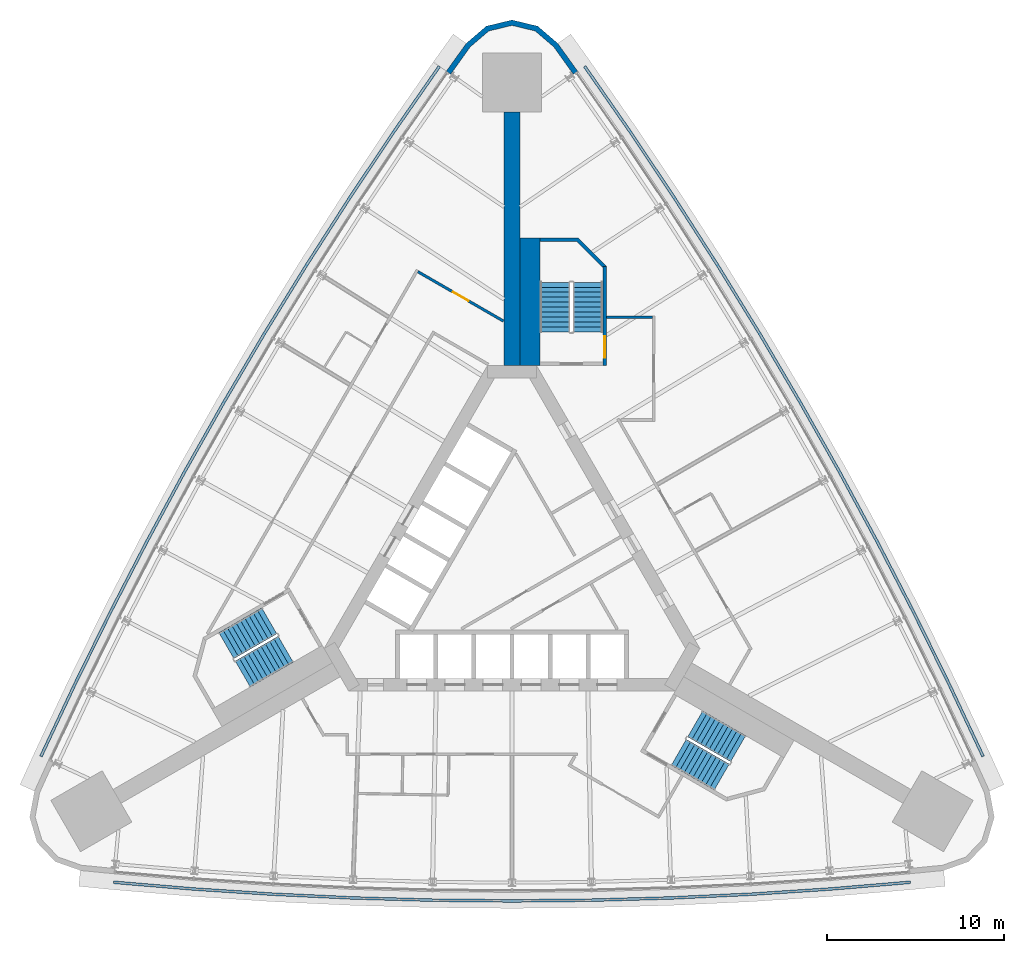
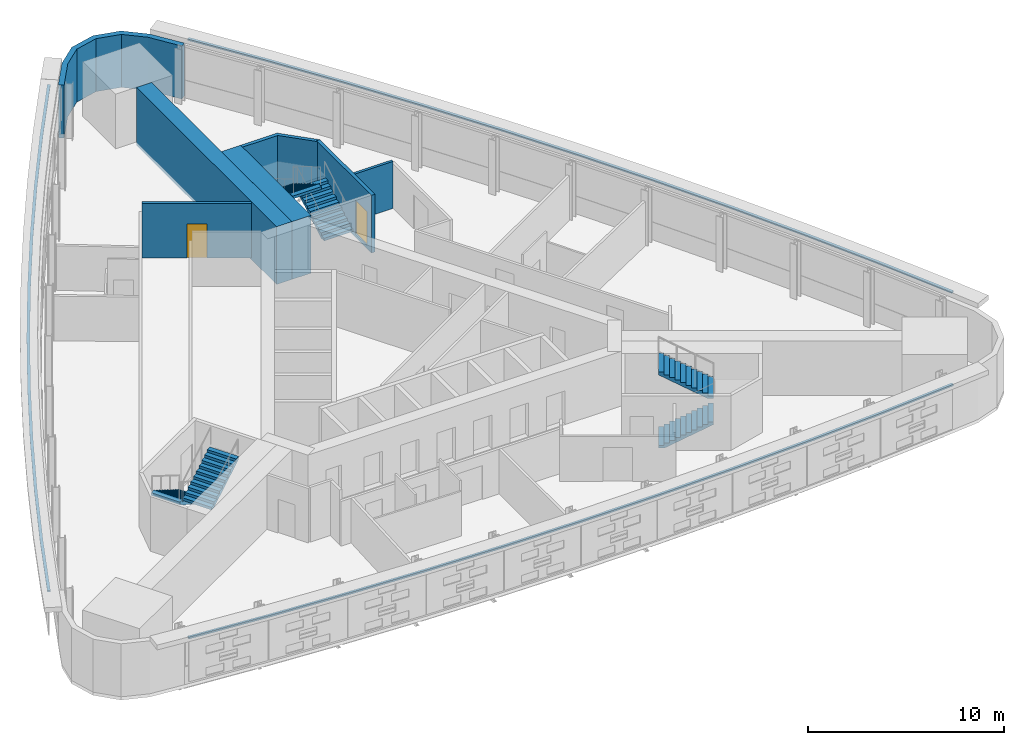
# One storey, part 12 of 14: 7 walls, 6 stair flights, 3 discrete accessories, 2 doors, 2 openings, 3 elements without a shape of their own.
"""IFC4 building model written with IfcOpenShell, lengths in metres."""

from ifc_helpers import new_model, si_unit, direction, frame, frame_2d, origin, place, context, subcontext, project, spatial, polyline, rectangle, outline, extrude, material, layer, layer_set, type_object, element, fill, aggregate, save


model = new_model("IFC4")

# Units and contexts
model_context = context("Model", 3, precision=1e-05, world=origin(), true_north=direction((0.0, 1.0)))
body_context = subcontext(model_context, "Body", "Model", "MODEL_VIEW")
ifc_project = project(units=[si_unit("LENGTHUNIT", "METRE"), si_unit("AREAUNIT", "SQUARE_METRE"), si_unit("VOLUMEUNIT", "CUBIC_METRE"), si_unit("PLANEANGLEUNIT", "RADIAN"), si_unit("MASSUNIT", "GRAM", prefix="KILO")], contexts=[model_context])

# Site, building, storey
site_placement = place(None, origin())
site = spatial("IfcSite", under=ifc_project, at=site_placement, CompositionType="ELEMENT")
building_placement = place(site_placement, origin())
building = spatial("IfcBuilding", under=site, at=building_placement, Name="Noor Cloister Tower", CompositionType="ELEMENT")
storey_placement = place(building_placement, frame((0.0, 0.0, 42.0)))
storey = spatial("IfcBuildingStorey", under=building, at=storey_placement, Name="L10", CompositionType="ELEMENT", Elevation=42.0)

# Wall
ifc_material_1 = material(Name="Concrete C80/95", Category="concrete")
ifc_layer_1 = layer(ifc_material_1, 0.89990234375)
ifc_layer_set_1 = layer_set([ifc_layer_1], Name="Buttress wall 900 C80/95")
wall_type_1 = type_object("IfcWallType", Name="Buttress wall 900 C80/95", PredefinedType="SHEAR", material=ifc_layer_set_1)
wall_1_placement = place(storey_placement, frame((0.0, 11.456298828125, -0.199951171875), z_axis=(0.0, 0.0, 1.0), x_axis=(0.0, 1.0, 0.0)))
element("IfcWall", 1, at=wall_1_placement, inside=storey, type_object=wall_type_1, Name="Buttress wall N L10", PredefinedType="SHEAR", context=body_context, shape_type="SweptSolid", body=[
    extrude(rectangle(XDim=14.30859375, YDim=0.89990234375, at=frame_2d((7.154296875, 0.0))), origin(), (0.0, 0.0, 1.0), 3.599853515625),
])

# Wall, opening, door
ifc_material_2 = material(Name="Gypsum board partition on steel studs, 150 mm", Category="steel")
ifc_layer_2 = layer(ifc_material_2, 0.14990234375)
ifc_layer_set_2 = layer_set([ifc_layer_2], Name="Flat wall 150")
wall_type_2 = type_object("IfcWallType", Name="Flat wall 150", PredefinedType="PARTITIONING", material=ifc_layer_set_2)
wall_2_placement = place(storey_placement, frame((-5.3125, 16.754638671875, 0.0), z_axis=(0.0, 0.0, 1.0), x_axis=(0.866028693448, -0.499994302092, 0.0)))
wall_2 = element("IfcWall", 2, at=wall_2_placement, inside=storey, type_object=wall_type_2, Name="Flat wall 150 L10 007", PredefinedType="PARTITIONING", context=body_context, shape_type="SweptSolid", body=[
    extrude(rectangle(XDim=5.5712890625, YDim=0.14990234375, at=frame_2d((2.78564453125, 0.0))), origin(), (0.0, 0.0, 1.0), 3.39990234375),
])
opening_1_placement = place(wall_2_placement, frame((2.295166015625, 0.0, 0.0)))
opening_1 = element("IfcOpeningElement", 3, at=opening_1_placement, cuts=wall_2, Name="Opening L10-011", PredefinedType="OPENING", context=body_context, shape_type="SweptSolid", body=[
    extrude(rectangle(XDim=1.0, YDim=2.10009765625, at=frame_2d((0.5, 1.050048828125))), frame((0.0, 0.0849609375, 0.0), z_axis=(0.0, -1.0, 0.0), x_axis=(1.0, 0.0, 0.0)), (0.0, 0.0, 1.0), 0.169921875),
])
ifc_material_3 = material(Name="Timber door leaf with steel frame", Category="steel")
door_type_1 = type_object("IfcDoorType", Name="Interior door 1000 FD60", OperationType="NOTDEFINED", PredefinedType="DOOR", material=ifc_material_3)
door_1_placement = place(opening_1_placement, origin())
door_1 = element("IfcDoor", 4, at=door_1_placement, inside=storey, type_object=door_type_1, Name="Interior door 1000 L10-011", OperationType="SINGLE_SWING_RIGHT", OverallHeight=2.10009765625, OverallWidth=1.0, PredefinedType="DOOR", context=body_context, shape_type="SweptSolid", body=[
    extrude(rectangle(XDim=1.0, YDim=2.10009765625, at=frame_2d((0.5, 1.050048828125))), frame((0.0, 0.02490234375, 0.0), z_axis=(0.0, -1.0, 0.0), x_axis=(1.0, 0.0, 0.0)), (0.0, 0.0, 1.0), 0.050048828125),
])
fill(opening_1, door_1)

# Walls
wall_3_placement = place(storey_placement, frame((5.335693359375, 14.181396484375, 0.0), z_axis=(0.0, 0.0, 1.0), x_axis=(1.0, 0.0, 0.0)))
element("IfcWall", 5, at=wall_3_placement, inside=storey, type_object=wall_type_2, Name="Flat wall 150 L10 009", PredefinedType="PARTITIONING", context=body_context, shape_type="SweptSolid", body=[
    extrude(rectangle(XDim=2.599853515625, YDim=0.14990234375, at=frame_2d((1.2998046875, 0.0))), origin(), (0.0, 0.0, 1.0), 2.923095703125),
])
ifc_material_4 = material(Name="Limestone", Category="masonry")
ifc_layer_3 = layer(ifc_material_4, 0.300048828125)
ifc_layer_set_3 = layer_set([ifc_layer_3], Name="Limestone cladding 300")
wall_type_3 = type_object("IfcWallType", Name="Limestone cladding 300", PredefinedType="NOTDEFINED", material=ifc_layer_set_3)
wall_4_placement = place(storey_placement, origin())
element("IfcWall", 6, at=wall_4_placement, inside=storey, type_object=wall_type_3, Name="Limestone pier cladding L10 3.1", PredefinedType="NOTDEFINED", context=body_context, shape_type="SweptSolid", body=[
    extrude(outline(polyline([(3.708984375, 28.084228515625), (2.58642578125, 29.65234375), (1.45263671875, 30.625244140625), (0.0, 30.975341796875), (-1.45263671875, 30.625244140625), (-2.58642578125, 29.65234375), (-3.708984375, 28.084228515625), (-3.465087890625, 27.90966796875), (-2.363525390625, 29.4482421875), (-1.31201171875, 30.3505859375), (0.0, 30.666748046875), (1.31201171875, 30.3505859375), (2.363525390625, 29.4482421875), (3.465087890625, 27.90966796875), (3.708984375, 28.084228515625)])), origin(), (0.0, 0.0, 1.0), 3.300048828125),
])
ifc_material_5 = material(Name="Concrete C80/95", Category="concrete")
ifc_layer_4 = layer(ifc_material_5, 1.135986328125)
ifc_layer_set_4 = layer_set([ifc_layer_4], Name="Stair enclosure wall 1136 C80/95")
wall_type_4 = type_object("IfcWallType", Name="Stair enclosure wall 1136 C80/95", PredefinedType="SHEAR", material=ifc_layer_set_4)
wall_5_placement = place(storey_placement, frame((1.017822265625, 11.456298828125, -0.199951171875), z_axis=(0.0, 0.0, 1.0), x_axis=(0.0, 1.0, 0.0)))
element("IfcWall", 7, at=wall_5_placement, inside=storey, type_object=wall_type_4, Name="Stair enclosure wall ST1 L10 riser side", PredefinedType="SHEAR", context=body_context, shape_type="SweptSolid", body=[
    extrude(rectangle(XDim=7.2001953125, YDim=1.1357421875, at=frame_2d((3.60009765625, 0.0))), origin(), (0.0, 0.0, 1.0), 3.599853515625),
])

# Wall, opening, door
ifc_material_6 = material(Name="Concrete C80/95", Category="concrete")
ifc_layer_5 = layer(ifc_material_6, 0.199951171875)
ifc_layer_set_5 = layer_set([ifc_layer_5], Name="Stair enclosure wall 200 C80/95")
wall_type_5 = type_object("IfcWallType", Name="Stair enclosure wall 200 C80/95", PredefinedType="SHEAR", material=ifc_layer_set_5)
wall_6_placement = place(storey_placement, frame((5.235595703125, 11.456298828125, -0.199951171875), z_axis=(0.0, 0.0, 1.0), x_axis=(0.0, 1.0, 0.0)))
wall_6 = element("IfcWall", 8, at=wall_6_placement, inside=storey, type_object=wall_type_5, Name="Stair enclosure wall ST1 L10 outer side", PredefinedType="SHEAR", context=body_context, shape_type="SweptSolid", body=[
    extrude(rectangle(XDim=5.60009765625, YDim=0.199951171875, at=frame_2d((2.800048828125, 0.0))), origin(), (0.0, 0.0, 1.0), 3.599853515625),
])
opening_2_placement = place(wall_6_placement, frame((0.449951171875, 0.0, 0.199951171875)))
opening_2 = element("IfcOpeningElement", 9, at=opening_2_placement, cuts=wall_6, Name="Opening L10-ST1C", PredefinedType="OPENING", context=body_context, shape_type="SweptSolid", body=[
    extrude(rectangle(XDim=1.199951171875, YDim=2.10009765625, at=frame_2d((0.60009765625, 1.050048828125))), frame((0.0, 0.10986328125, 0.0), z_axis=(0.0, -1.0, 0.0), x_axis=(1.0, 0.0, 0.0)), (0.0, 0.0, 1.0), 0.219970703125),
])
ifc_material_7 = material(Name="Steel", Category="steel")
door_type_2 = type_object("IfcDoorType", Name="Stair door 1200 x 2100 FD120", OperationType="SINGLE_SWING_LEFT", PredefinedType="DOOR", material=ifc_material_7)
door_2_placement = place(opening_2_placement, origin())
door_2 = element("IfcDoor", 10, at=door_2_placement, inside=storey, type_object=door_type_2, Name="Stair door ST1 L10", OperationType="SINGLE_SWING_LEFT", OverallHeight=2.10009765625, OverallWidth=1.199951171875, PredefinedType="DOOR", context=body_context, shape_type="SweptSolid", body=[
    extrude(rectangle(XDim=1.199951171875, YDim=2.10009765625, at=frame_2d((0.60009765625, 1.050048828125))), frame((0.0, 0.02490234375, 0.0), z_axis=(0.0, -1.0, 0.0), x_axis=(1.0, 0.0, 0.0)), (0.0, 0.0, 1.0), 0.050048828125),
])
fill(opening_2, door_2)

# Wall
ifc_material_8 = material(Name="Concrete C80/95", Category="concrete")
wall_type_6 = type_object("IfcWallType", Name="Stair far end wall C80/95", PredefinedType="SHEAR", material=ifc_material_8)
wall_7_placement = place(storey_placement, frame((0.0, 0.0, -0.199951171875)))
element("IfcWall", 11, at=wall_7_placement, inside=storey, type_object=wall_type_6, Name="Stair enclosure wall ST1 L10 far end", PredefinedType="SHEAR", context=body_context, shape_type="SweptSolid", body=[
    extrude(outline(polyline([(5.335693359375, 17.056396484375), (3.735595703125, 18.656494140625), (1.585693359375, 18.656494140625), (1.585693359375, 18.456298828125), (3.65283203125, 18.456298828125), (5.135498046875, 16.9736328125), (5.135498046875, 17.056396484375), (5.135498046875, 17.056396484375), (5.135498046875, 17.056396484375), (5.135498046875, 17.056396484375), (5.135498046875, 17.056396484375), (5.135498046875, 17.056396484375), (5.135498046875, 17.056396484375), (5.135498046875, 17.056396484375), (5.135498046875, 17.056396484375), (5.135498046875, 17.056396484375), (5.135498046875, 17.056396484375), (5.135498046875, 17.056396484375), (5.135498046875, 17.056396484375), (5.135498046875, 17.056396484375), (5.135498046875, 17.056396484375), (5.135498046875, 17.056396484375), (5.135498046875, 17.056396484375), (5.335693359375, 17.056396484375)])), origin(), (0.0, 0.0, 1.0), 3.599853515625),
])

# Stair, stair flights
ifc_material_9 = material(Name="Concrete C40/50", Category="concrete")
stair_type = type_object("IfcStairType", Name="Exit stair 22 risers", PredefinedType="HALF_TURN_STAIR", material=ifc_material_9)
stair_1_placement = place(storey_placement, origin())
stair_1 = element("IfcStair", 12, at=stair_1_placement, inside=storey, type_object=stair_type, Name="Exit stair ST1 L10", PredefinedType="HALF_TURN_STAIR")
ifc_material_10 = material(Name="Concrete C40/50", Category="concrete")
stair_flight_type = type_object("IfcStairFlightType", Name="Exit stair flight", PredefinedType="STRAIGHT", material=ifc_material_10)
stair_flight_1_placement = place(storey_placement, frame((4.28564453125, 13.3564453125, 0.0), z_axis=(0.0, 0.0, 1.0), x_axis=(0.0, 1.0, 0.0)))
stair_flight_1 = element("IfcStairFlight", 13, at=stair_flight_1_placement, type_object=stair_flight_type, Name="ST1 flight 1", NumberOfRisers=11, NumberOfTreads=10, PredefinedType="STRAIGHT", RiserHeight=0.163636364, TreadLength=0.28, context=body_context, shape_type="SweptSolid", body=[
    extrude(outline(polyline([(0.0, 0.0), (0.0, 0.16357421875), (0.280029296875, 0.16357421875), (0.280029296875, 0.327392578125), (0.56005859375, 0.327392578125), (0.56005859375, 0.490966796875), (0.840087890625, 0.490966796875), (0.840087890625, 0.654541015625), (1.1201171875, 0.654541015625), (1.1201171875, 0.818115234375), (1.39990234375, 0.818115234375), (1.39990234375, 0.98193359375), (1.679931640625, 0.98193359375), (1.679931640625, 1.1455078125), (1.9599609375, 1.1455078125), (1.9599609375, 1.30908203125), (2.239990234375, 1.30908203125), (2.239990234375, 1.47265625), (2.52001953125, 1.47265625), (2.52001953125, 1.636474609375), (2.800048828125, 1.636474609375), (2.800048828125, 1.800048828125), (2.800048828125, 1.462646484375), (0.297119140625, 0.0), (0.0, 0.0)])), frame((0.0, 0.85009765625, 0.0), z_axis=(0.0, -1.0, 0.0), x_axis=(1.0, 0.0, 0.0)), (0.0, 0.0, 1.0), 1.699951171875),
])
stair_flight_2_placement = place(storey_placement, frame((2.435546875, 16.156494140625, 1.800048828125), z_axis=(0.0, 0.0, 1.0), x_axis=(0.0, -1.0, 0.0)))
stair_flight_2 = element("IfcStairFlight", 14, at=stair_flight_2_placement, type_object=stair_flight_type, Name="ST1 flight 2", NumberOfRisers=11, NumberOfTreads=10, PredefinedType="STRAIGHT", RiserHeight=0.163636364, TreadLength=0.28, context=body_context, shape_type="SweptSolid", body=[
    extrude(outline(polyline([(0.0, 0.0), (0.0, 0.16357421875), (0.280029296875, 0.16357421875), (0.280029296875, 0.327392578125), (0.56005859375, 0.327392578125), (0.56005859375, 0.490966796875), (0.840087890625, 0.490966796875), (0.840087890625, 0.654541015625), (1.1201171875, 0.654541015625), (1.1201171875, 0.818115234375), (1.39990234375, 0.818115234375), (1.39990234375, 0.98193359375), (1.679931640625, 0.98193359375), (1.679931640625, 1.1455078125), (1.9599609375, 1.1455078125), (1.9599609375, 1.30908203125), (2.239990234375, 1.30908203125), (2.239990234375, 1.47265625), (2.52001953125, 1.47265625), (2.52001953125, 1.636474609375), (2.800048828125, 1.636474609375), (2.800048828125, 1.800048828125), (2.800048828125, 1.462646484375), (0.297119140625, 0.0), (0.0, 0.0)])), frame((0.0, 0.85009765625, 0.0), z_axis=(0.0, -1.0, 0.0), x_axis=(1.0, 0.0, 0.0)), (0.0, 0.0, 1.0), 1.699951171875),
])
aggregate(stair_1, [stair_flight_1, stair_flight_2])

stair_2_placement = place(storey_placement, origin())
stair_2 = element("IfcStair", 15, at=stair_2_placement, inside=storey, type_object=stair_type, Name="Exit stair ST2 L10", PredefinedType="HALF_TURN_STAIR")
stair_flight_3_placement = place(storey_placement, frame((-13.709716796875, -2.966796875, 0.0), z_axis=(0.0, 0.0, 1.0), x_axis=(-0.866025403784, -0.5, 0.0)))
stair_flight_3 = element("IfcStairFlight", 16, at=stair_flight_3_placement, type_object=stair_flight_type, Name="ST2 flight 1", NumberOfRisers=11, NumberOfTreads=10, PredefinedType="STRAIGHT", RiserHeight=0.163636364, TreadLength=0.28, context=body_context, shape_type="SweptSolid", body=[
    extrude(outline(polyline([(0.0, 0.0), (0.0, 0.16357421875), (0.280029296875, 0.16357421875), (0.280029296875, 0.327392578125), (0.56005859375, 0.327392578125), (0.56005859375, 0.490966796875), (0.840087890625, 0.490966796875), (0.840087890625, 0.654541015625), (1.1201171875, 0.654541015625), (1.1201171875, 0.818115234375), (1.39990234375, 0.818115234375), (1.39990234375, 0.98193359375), (1.679931640625, 0.98193359375), (1.679931640625, 1.1455078125), (1.9599609375, 1.1455078125), (1.9599609375, 1.30908203125), (2.239990234375, 1.30908203125), (2.239990234375, 1.47265625), (2.52001953125, 1.47265625), (2.52001953125, 1.636474609375), (2.800048828125, 1.636474609375), (2.800048828125, 1.800048828125), (2.800048828125, 1.462646484375), (0.297119140625, 0.0), (0.0, 0.0)])), frame((0.0, 0.85009765625, 0.0), z_axis=(0.0, -1.0, 0.0), x_axis=(1.0, 0.0, 0.0)), (0.0, 0.0, 1.0), 1.699951171875),
])
stair_flight_4_placement = place(storey_placement, frame((-15.209716796875, -5.968994140625, 1.800048828125), z_axis=(0.0, 0.0, 1.0), x_axis=(0.866025403784, 0.5, 0.0)))
stair_flight_4 = element("IfcStairFlight", 17, at=stair_flight_4_placement, type_object=stair_flight_type, Name="ST2 flight 2", NumberOfRisers=11, NumberOfTreads=10, PredefinedType="STRAIGHT", RiserHeight=0.163636364, TreadLength=0.28, context=body_context, shape_type="SweptSolid", body=[
    extrude(outline(polyline([(0.0, 0.0), (0.0, 0.16357421875), (0.280029296875, 0.16357421875), (0.280029296875, 0.327392578125), (0.56005859375, 0.327392578125), (0.56005859375, 0.490966796875), (0.840087890625, 0.490966796875), (0.840087890625, 0.654541015625), (1.1201171875, 0.654541015625), (1.1201171875, 0.818115234375), (1.39990234375, 0.818115234375), (1.39990234375, 0.98193359375), (1.679931640625, 0.98193359375), (1.679931640625, 1.1455078125), (1.9599609375, 1.1455078125), (1.9599609375, 1.30908203125), (2.239990234375, 1.30908203125), (2.239990234375, 1.47265625), (2.52001953125, 1.47265625), (2.52001953125, 1.636474609375), (2.800048828125, 1.636474609375), (2.800048828125, 1.800048828125), (2.800048828125, 1.462646484375), (0.297119140625, 0.0), (0.0, 0.0)])), frame((0.0, 0.85009765625, 0.0), z_axis=(0.0, -1.0, 0.0), x_axis=(1.0, 0.0, 0.0)), (0.0, 0.0, 1.0), 1.699951171875),
])
aggregate(stair_2, [stair_flight_3, stair_flight_4])

stair_3_placement = place(storey_placement, origin())
stair_3 = element("IfcStair", 18, at=stair_3_placement, inside=storey, type_object=stair_type, Name="Exit stair ST3 L10", PredefinedType="HALF_TURN_STAIR")
stair_flight_5_placement = place(storey_placement, frame((9.424072265625, -10.3896484375, 0.0), z_axis=(0.0, 0.0, 1.0), x_axis=(0.866025403784, -0.5, 0.0)))
stair_flight_5 = element("IfcStairFlight", 19, at=stair_flight_5_placement, type_object=stair_flight_type, Name="ST3 flight 1", NumberOfRisers=11, NumberOfTreads=10, PredefinedType="STRAIGHT", RiserHeight=0.163636364, TreadLength=0.28, context=body_context, shape_type="SweptSolid", body=[
    extrude(outline(polyline([(0.0, 0.0), (0.0, 0.16357421875), (0.280029296875, 0.16357421875), (0.280029296875, 0.327392578125), (0.56005859375, 0.327392578125), (0.56005859375, 0.490966796875), (0.840087890625, 0.490966796875), (0.840087890625, 0.654541015625), (1.1201171875, 0.654541015625), (1.1201171875, 0.818115234375), (1.39990234375, 0.818115234375), (1.39990234375, 0.98193359375), (1.679931640625, 0.98193359375), (1.679931640625, 1.1455078125), (1.9599609375, 1.1455078125), (1.9599609375, 1.30908203125), (2.239990234375, 1.30908203125), (2.239990234375, 1.47265625), (2.52001953125, 1.47265625), (2.52001953125, 1.636474609375), (2.800048828125, 1.636474609375), (2.800048828125, 1.800048828125), (2.800048828125, 1.462646484375), (0.297119140625, 0.0), (0.0, 0.0)])), frame((0.0, 0.85009765625, 0.0), z_axis=(0.0, -1.0, 0.0), x_axis=(1.0, 0.0, 0.0)), (0.0, 0.0, 1.0), 1.699951171875),
])
stair_flight_6_placement = place(storey_placement, frame((12.77392578125, -10.1875, 1.800048828125), z_axis=(0.0, 0.0, 1.0), x_axis=(-0.866025403784, 0.5, 0.0)))
stair_flight_6 = element("IfcStairFlight", 20, at=stair_flight_6_placement, type_object=stair_flight_type, Name="ST3 flight 2", NumberOfRisers=11, NumberOfTreads=10, PredefinedType="STRAIGHT", RiserHeight=0.163636364, TreadLength=0.28, context=body_context, shape_type="SweptSolid", body=[
    extrude(outline(polyline([(0.0, 0.0), (0.0, 0.16357421875), (0.280029296875, 0.16357421875), (0.280029296875, 0.327392578125), (0.56005859375, 0.327392578125), (0.56005859375, 0.490966796875), (0.840087890625, 0.490966796875), (0.840087890625, 0.654541015625), (1.1201171875, 0.654541015625), (1.1201171875, 0.818115234375), (1.39990234375, 0.818115234375), (1.39990234375, 0.98193359375), (1.679931640625, 0.98193359375), (1.679931640625, 1.1455078125), (1.9599609375, 1.1455078125), (1.9599609375, 1.30908203125), (2.239990234375, 1.30908203125), (2.239990234375, 1.47265625), (2.52001953125, 1.47265625), (2.52001953125, 1.636474609375), (2.800048828125, 1.636474609375), (2.800048828125, 1.800048828125), (2.800048828125, 1.462646484375), (0.297119140625, 0.0), (0.0, 0.0)])), frame((0.0, 0.85009765625, 0.0), z_axis=(0.0, -1.0, 0.0), x_axis=(1.0, 0.0, 0.0)), (0.0, 0.0, 1.0), 1.699951171875),
])
aggregate(stair_3, [stair_flight_5, stair_flight_6])

# Discrete accessories
ifc_material_11 = material(Name="Stainless steel grade 316", Category="steel")
discrete_accessory_type = type_object("IfcDiscreteAccessoryType", Name="Stainless hanger rail", PredefinedType="BRACKET", material=ifc_material_11)
discrete_accessory_1_placement = place(storey_placement, frame((0.0, 0.0, 3.199951171875)))
element("IfcDiscreteAccessory", 21, at=discrete_accessory_1_placement, inside=storey, type_object=discrete_accessory_type, Name="Hanger rail L10", PredefinedType="BRACKET", context=body_context, shape_type="SweptSolid", body=[
    extrude(outline(polyline([(-4.168701171875, 28.404052734375), (-6.74169921875, 24.705810546875), (-9.247802734375, 20.955810546875), (-11.683349609375, 17.159423828125), (-14.04736328125, 13.318359375), (-16.339111328125, 9.433349609375), (-18.5576171875, 5.50634765625), (-20.702392578125, 1.538330078125), (-22.772216796875, -2.468994140625), (-24.766845703125, -6.514404296875), (-26.682861328125, -10.591796875), (-26.5380859375, -10.659912109375), (-24.62255859375, -6.583984375), (-22.62939453125, -2.541015625), (-20.560791015625, 1.463623046875), (-18.417724609375, 5.428955078125), (-16.20068359375, 9.353515625), (-13.910400390625, 13.235595703125), (-11.5478515625, 17.074462890625), (-9.114013671875, 20.8681640625), (-6.609375, 24.61572265625), (-4.037353515625, 28.312744140625), (-4.168701171875, 28.404052734375)])), origin(), (0.0, 0.0, 1.0), 0.10009765625),
])
discrete_accessory_2_placement = place(storey_placement, frame((0.0, 0.0, 3.199951171875)))
element("IfcDiscreteAccessory", 22, at=discrete_accessory_2_placement, inside=storey, type_object=discrete_accessory_type, Name="Hanger rail L10", PredefinedType="BRACKET", context=body_context, shape_type="SweptSolid", body=[
    extrude(outline(polyline([(-22.51416015625, -17.812255859375), (-18.025146484375, -18.19140625), (-13.5244140625, -18.48681640625), (-9.018798828125, -18.697998046875), (-4.51025390625, -18.82470703125), (0.0, -18.866943359375), (4.51025390625, -18.82470703125), (9.018798828125, -18.697998046875), (13.5244140625, -18.48681640625), (18.025146484375, -18.19140625), (22.51416015625, -17.812255859375), (22.500732421875, -17.65283203125), (18.01318359375, -18.03173828125), (13.515380859375, -18.3271484375), (9.012939453125, -18.5380859375), (4.50732421875, -18.66455078125), (0.0, -18.706787109375), (-4.50732421875, -18.66455078125), (-9.012939453125, -18.5380859375), (-13.515380859375, -18.3271484375), (-18.01318359375, -18.03173828125), (-22.500732421875, -17.65283203125), (-22.51416015625, -17.812255859375)])), origin(), (0.0, 0.0, 1.0), 0.10009765625),
])
discrete_accessory_3_placement = place(storey_placement, frame((0.0, 0.0, 3.199951171875)))
element("IfcDiscreteAccessory", 23, at=discrete_accessory_3_placement, inside=storey, type_object=discrete_accessory_type, Name="Hanger rail L10", PredefinedType="BRACKET", context=body_context, shape_type="SweptSolid", body=[
    extrude(outline(polyline([(26.682861328125, -10.591796875), (24.766845703125, -6.514404296875), (22.772216796875, -2.468994140625), (20.702392578125, 1.538330078125), (18.5576171875, 5.50634765625), (16.339111328125, 9.433349609375), (14.04736328125, 13.318359375), (11.683349609375, 17.159423828125), (9.247802734375, 20.955810546875), (6.74169921875, 24.705810546875), (4.168701171875, 28.404052734375), (4.037353515625, 28.312744140625), (6.609375, 24.61572265625), (9.114013671875, 20.8681640625), (11.5478515625, 17.074462890625), (13.910400390625, 13.235595703125), (16.20068359375, 9.353515625), (18.417724609375, 5.428955078125), (20.560791015625, 1.463623046875), (22.62939453125, -2.541015625), (24.62255859375, -6.583984375), (26.5380859375, -10.659912109375), (26.682861328125, -10.591796875)])), origin(), (0.0, 0.0, 1.0), 0.10009765625),
])

save(model, "model.ifc")
